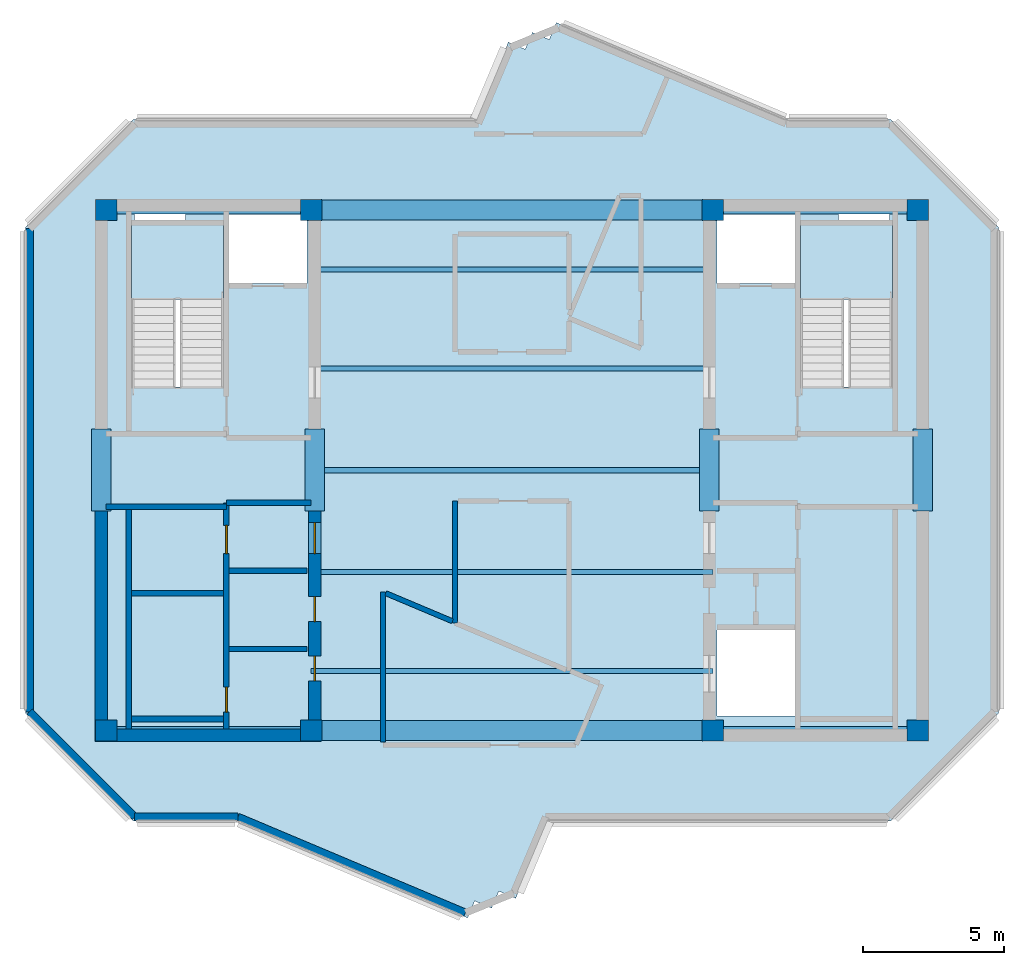
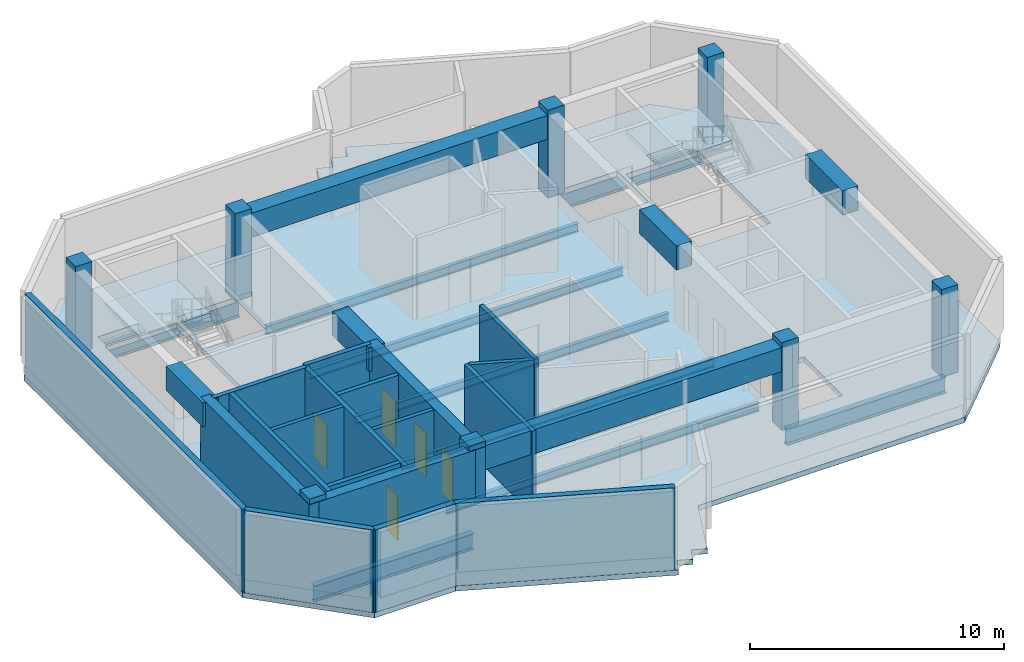
# One storey, part 1 of 5: 18 walls, 15 beams, 8 columns, 5 doors, 3 slabs, 5 openings, 2 elements without a shape of their own.
"""IFC4 building model written with IfcOpenShell, lengths in metres."""

from ifc_helpers import new_model, si_unit, direction, frame, frame_2d, origin, origin_2d, place, context, subcontext, project, spatial, polyline, rectangle, i_section, outline, extrude, source, transform, mapped, material, layer, layer_set, material_profile, profile_set, type_object, element, fill, aggregate, save


model = new_model("IFC4")

# Units and contexts
model_context = context("Model", 3, precision=1e-05, world=origin(), true_north=direction((0.0, 1.0)))
body_context = subcontext(model_context, "Body", "Model", "MODEL_VIEW")
ifc_project = project(units=[si_unit("LENGTHUNIT", "METRE"), si_unit("AREAUNIT", "SQUARE_METRE"), si_unit("VOLUMEUNIT", "CUBIC_METRE"), si_unit("PLANEANGLEUNIT", "RADIAN"), si_unit("MASSUNIT", "GRAM", prefix="KILO")], contexts=[model_context])

# Site, building, storey
site_placement = place(None, origin())
site = spatial("IfcSite", under=ifc_project, at=site_placement, CompositionType="ELEMENT")
building_placement = place(site_placement, origin())
building = spatial("IfcBuilding", under=site, at=building_placement, Name="Zahravan Cultural Tower", CompositionType="ELEMENT")
storey_placement = place(building_placement, frame((0.0, 0.0, 379.64990234375)))
storey = spatial("IfcBuildingStorey", under=building, at=storey_placement, Name="L92", CompositionType="ELEMENT", Elevation=379.64990234375)

# Columns
ifc_material_1 = material(Name="Concrete C45/55", Category="concrete")
ifc_material_profile_1 = material_profile(ifc_material_1, rectangle(XDim=0.75, YDim=0.75, at=origin_2d()), Name="RC750X750")
ifc_profile_set_1 = profile_set([ifc_material_profile_1], Name="Concrete C45/55")
column_type = type_object("IfcColumnType", Name="COL-RC750", PredefinedType="COLUMN", material=ifc_profile_set_1)
shared_shape_1 = source(origin(), body_context, "Body", "SweptSolid", [
    extrude(rectangle(XDim=0.75, YDim=0.75, at=origin_2d()), origin(), (0.0, 0.0, 1.0), 4.2001953125),
])
for number, where, z_axis, x_axis, name in (
    (1, (21.64990234375, 17.800048828125, 0.0), (0.0, 0.0, 1.0), (1.0, 0.0, 0.0), "L92 Column CC-W1"),
    (2, (28.89990234375, 17.800048828125, 0.0), (0.0, 0.0, 1.0), (1.0, 0.0, 0.0), "L92 Column CC-W2"),
    (3, (21.64990234375, 36.199951171875, 0.0), (0.0, 0.0, 1.0), (1.0, 0.0, 0.0), "L92 Column CC-W3"),
    (4, (28.89990234375, 36.199951171875, 0.0), (0.0, 0.0, 1.0), (1.0, 0.0, 0.0), "L92 Column CC-W4"),
    (5, (43.10009765625, 17.800048828125, 0.0), (0.0, 0.0, 1.0), (1.0, 0.0, 0.0), "L92 Column CC-E1"),
    (6, (50.35009765625, 17.800048828125, 0.0), (0.0, 0.0, 1.0), (1.0, 0.0, 0.0), "L92 Column CC-E2"),
    (7, (43.10009765625, 36.199951171875, 0.0), (0.0, 0.0, 1.0), (1.0, 0.0, 0.0), "L92 Column CC-E3"),
    (8, (50.35009765625, 36.199951171875, 0.0), (0.0, 0.0, 1.0), (1.0, 0.0, 0.0), "L92 Column CC-E4"),
):
    element("IfcColumn", number, at=place(storey_placement, frame(where, z_axis=z_axis, x_axis=x_axis)), inside=storey, type_object=column_type, Name=name, PredefinedType="COLUMN", context=body_context, shape_type="MappedRepresentation", body=[
        mapped(shared_shape_1, transform((0.0, 0.0, 0.0), x_axis=(1.0, 0.0, 0.0), y_axis=(0.0, 1.0, 0.0), z_axis=(0.0, 0.0, 1.0), scale=1.0)),
    ])

# Beams
ifc_material_2 = material(Name="Concrete C50/60", Category="concrete")
ifc_material_profile_2 = material_profile(ifc_material_2, rectangle(XDim=0.699951171875, YDim=1.14990234375, at=origin_2d()), Name="RC700X1150")
ifc_profile_set_2 = profile_set([ifc_material_profile_2], Name="Concrete C50/60")
beam_type_1 = type_object("IfcBeamType", Name="BM-LN-RC700X1150", PredefinedType="LINTEL", material=ifc_profile_set_2)
shared_shape_2 = source(origin(), body_context, "Body", "SweptSolid", [
    extrude(rectangle(XDim=0.699951171875, YDim=1.14990234375, at=origin_2d()), origin(), (0.0, 0.0, 1.0), 14.2001953125),
])
for number, where, z_axis, x_axis, name in (
    (9, (28.89990234375, 17.800048828125, 3.375), (1.0, 0.0, 0.0), (0.0, 1.0, 0.0), "L92 Beam LN-L92-S"),
    (10, (28.89990234375, 36.199951171875, 3.375), (1.0, 0.0, 0.0), (0.0, 1.0, 0.0), "L92 Beam LN-L92-N"),
):
    element("IfcBeam", number, at=place(storey_placement, frame(where, z_axis=z_axis, x_axis=x_axis)), inside=storey, type_object=beam_type_1, Name=name, PredefinedType="LINTEL", context=body_context, shape_type="MappedRepresentation", body=[
        mapped(shared_shape_2, transform((0.0, 0.0, 0.0), x_axis=(1.0, 0.0, 0.0), y_axis=(0.0, 1.0, 0.0), z_axis=(0.0, 0.0, 1.0), scale=1.0)),
    ])
shared_shape_3 = source(origin(), body_context, "Body", "SweptSolid", [
    extrude(rectangle(XDim=0.699951171875, YDim=1.14990234375, at=origin_2d()), origin(), (0.0, 0.0, 1.0), 2.89990234375),
])
for number, where, z_axis, x_axis, name in (
    (11, (21.47509765625, 25.550048828125, 3.375), (0.0, 1.0, 0.0), (-1.0, 0.0, 0.0), "L92 Beam LN-L92-PWW"),
    (12, (29.02490234375, 25.550048828125, 3.375), (0.0, 1.0, 0.0), (-1.0, 0.0, 0.0), "L92 Beam LN-L92-PWE"),
    (13, (42.97509765625, 25.550048828125, 3.375), (0.0, 1.0, 0.0), (-1.0, 0.0, 0.0), "L92 Beam LN-L92-PEW"),
    (14, (50.52490234375, 25.550048828125, 3.375), (0.0, 1.0, 0.0), (-1.0, 0.0, 0.0), "L92 Beam LN-L92-PEE"),
):
    element("IfcBeam", number, at=place(storey_placement, frame(where, z_axis=z_axis, x_axis=x_axis)), inside=storey, type_object=beam_type_1, Name=name, PredefinedType="LINTEL", context=body_context, shape_type="MappedRepresentation", body=[
        mapped(shared_shape_3, transform((0.0, 0.0, 0.0), x_axis=(1.0, 0.0, 0.0), y_axis=(0.0, 1.0, 0.0), z_axis=(0.0, 0.0, 1.0), scale=1.0)),
    ])
ifc_material_3 = material(Name="Steel ASTM A992 Grade 50", Category="steel")
ifc_material_profile_3 = material_profile(ifc_material_3, i_section(OverallWidth=0.26611328125, OverallDepth=0.780029296875, WebThickness=0.0166015625, FlangeThickness=0.030029296875, FilletRadius=0.01904296875, at=origin_2d()), Name="W30X148")
ifc_profile_set_3 = profile_set([ifc_material_profile_3], Name="Steel ASTM A992 Grade 50")
beam_type_2 = type_object("IfcBeamType", Name="BM-G-W30X148", PredefinedType="BEAM", material=ifc_profile_set_3)
shared_shape_4 = source(origin(), body_context, "Body", "SweptSolid", [
    extrude(i_section(OverallWidth=0.26611328125, OverallDepth=0.780029296875, WebThickness=0.0166015625, FlangeThickness=0.030029296875, FilletRadius=0.01904296875, at=origin_2d()), origin(), (0.0, 0.0, 1.0), 7.25),
])
for number, where, z_axis, x_axis, name in (
    (15, (21.64990234375, 17.800048828125, -0.639892578125), (1.0, 0.0, 0.0), (0.0, 1.0, 0.0), "L92 Beam BG-L92-01"),
    (16, (21.64990234375, 36.199951171875, -0.639892578125), (1.0, 0.0, 0.0), (0.0, 1.0, 0.0), "L92 Beam BG-L92-02"),
    (17, (43.10009765625, 17.800048828125, -0.639892578125), (1.0, 0.0, 0.0), (0.0, 1.0, 0.0), "L92 Beam BG-L92-04"),
    (18, (43.10009765625, 36.199951171875, -0.639892578125), (1.0, 0.0, 0.0), (0.0, 1.0, 0.0), "L92 Beam BG-L92-05"),
):
    element("IfcBeam", number, at=place(storey_placement, frame(where, z_axis=z_axis, x_axis=x_axis)), inside=storey, type_object=beam_type_2, Name=name, PredefinedType="BEAM", context=body_context, shape_type="MappedRepresentation", body=[
        mapped(shared_shape_4, transform((0.0, 0.0, 0.0), x_axis=(1.0, 0.0, 0.0), y_axis=(0.0, 1.0, 0.0), z_axis=(0.0, 0.0, 1.0), scale=1.0)),
    ])
ifc_material_profile_4 = material_profile(ifc_material_3, i_section(OverallWidth=0.177978515625, OverallDepth=0.406005859375, WebThickness=0.0078125, FlangeThickness=0.0126953125, FilletRadius=0.011962890625, at=origin_2d()), Name="W16X40")
ifc_profile_set_4 = profile_set([ifc_material_profile_4], Name="Steel ASTM A992 Grade 50")
beam_type_3 = type_object("IfcBeamType", Name="BM-J-W16X40", PredefinedType="JOIST", material=ifc_profile_set_4)
shared_shape_5 = source(origin(), body_context, "Body", "SweptSolid", [
    extrude(i_section(OverallWidth=0.177978515625, OverallDepth=0.406005859375, WebThickness=0.0078125, FlangeThickness=0.0126953125, FilletRadius=0.011962890625, at=origin_2d()), origin(), (0.0, 0.0, 1.0), 14.2001953125),
])
for number, where, z_axis, x_axis, name in (
    (19, (28.89990234375, 19.89990234375, -0.452880859375), (1.0, 0.0, 0.0), (0.0, 1.0, 0.0), "L92 Beam BJ-L92-07"),
    (20, (28.89990234375, 23.39990234375, -0.452880859375), (1.0, 0.0, 0.0), (0.0, 1.0, 0.0), "L92 Beam BJ-L92-08"),
    (21, (28.89990234375, 27.0, -0.452880859375), (1.0, 0.0, 0.0), (0.0, 1.0, 0.0), "L92 Beam BJ-L92-09"),
    (22, (28.89990234375, 30.60009765625, -0.452880859375), (1.0, 0.0, 0.0), (0.0, 1.0, 0.0), "L92 Beam BJ-L92-10"),
    (23, (28.89990234375, 34.10009765625, -0.452880859375), (1.0, 0.0, 0.0), (0.0, 1.0, 0.0), "L92 Beam BJ-L92-11"),
):
    element("IfcBeam", number, at=place(storey_placement, frame(where, z_axis=z_axis, x_axis=x_axis)), inside=storey, type_object=beam_type_3, Name=name, PredefinedType="JOIST", context=body_context, shape_type="MappedRepresentation", body=[
        mapped(shared_shape_5, transform((0.0, 0.0, 0.0), x_axis=(1.0, 0.0, 0.0), y_axis=(0.0, 1.0, 0.0), z_axis=(0.0, 0.0, 1.0), scale=1.0)),
    ])

# Stair, slab
stair_type = type_object("IfcStairType", Name="STR-DL-1550-420", PredefinedType="HALF_TURN_STAIR", material=ifc_material_1)
stair_1_placement = place(storey_placement, origin())
stair_1 = element("IfcStair", 24, at=stair_1_placement, inside=storey, type_object=stair_type, Name="L92 West Core North Exit Stair ST-W1", PredefinedType="HALF_TURN_STAIR")
ifc_layer_1 = layer(ifc_material_1, 0.199951171875)
ifc_layer_set_1 = layer_set([ifc_layer_1], Name="Concrete C45/55")
slab_type_1 = type_object("IfcSlabType", Name="SL-STAIR-LND200", PredefinedType="LANDING", material=ifc_layer_set_1)
slab_1_placement = place(storey_placement, frame((0.0, 0.0, 1.900146484375)))
slab_1 = element("IfcSlab", 25, at=slab_1_placement, type_object=slab_type_1, Name="ST-W1 landing 1", PredefinedType="LANDING", context=body_context, shape_type="SweptSolid", body=[
    extrude(outline(polyline([(25.800048828125, 33.030029296875), (25.800048828125, 35.699951171875), (22.550048828125, 35.699951171875), (22.550048828125, 33.030029296875), (25.800048828125, 33.030029296875)])), origin(), (0.0, 0.0, 1.0), 0.199951171875),
])
aggregate(stair_1, [slab_1])

stair_2_placement = place(storey_placement, origin())
stair_2 = element("IfcStair", 26, at=stair_2_placement, inside=storey, type_object=stair_type, Name="L92 East Core North Exit Stair ST-E1", PredefinedType="HALF_TURN_STAIR")
slab_2_placement = place(storey_placement, frame((0.0, 0.0, 1.900146484375)))
slab_2 = element("IfcSlab", 27, at=slab_2_placement, type_object=slab_type_1, Name="ST-E1 landing 1", PredefinedType="LANDING", context=body_context, shape_type="SweptSolid", body=[
    extrude(outline(polyline([(49.449951171875, 33.030029296875), (49.449951171875, 35.699951171875), (46.199951171875, 35.699951171875), (46.199951171875, 33.030029296875), (49.449951171875, 33.030029296875)])), origin(), (0.0, 0.0, 1.0), 0.199951171875),
])
aggregate(stair_2, [slab_2])

# Slab
ifc_material_4 = material(Name="Concrete C40/50", Category="concrete")
ifc_layer_2 = layer(ifc_material_4, 0.25)
ifc_layer_set_2 = layer_set([ifc_layer_2], Name="Concrete C40/50")
slab_type_2 = type_object("IfcSlabType", Name="SL-TYP-250", PredefinedType="FLOOR", material=ifc_layer_set_2)
slab_3_placement = place(storey_placement, frame((0.0, 0.0, -0.25)))
element("IfcSlab", 28, at=slab_3_placement, inside=storey, type_object=slab_type_2, Name="L92 Structural Floor Slab", PredefinedType="FLOOR", context=body_context, shape_type="SweptSolid", body=[
    extrude(outline(polyline([(34.71435546875, 39.39990234375), (22.60009765625, 39.39990234375), (18.800048828125, 35.60009765625), (18.800048828125, 18.39990234375), (22.60009765625, 14.60009765625), (26.283447265625, 14.60009765625), (34.4287109375, 11.167724609375), (34.68115234375, 11.7666015625), (35.280029296875, 11.514404296875), (35.532470703125, 12.11328125), (36.131591796875, 11.86083984375), (37.28564453125, 14.60009765625), (49.39990234375, 14.60009765625), (53.199951171875, 18.39990234375), (53.199951171875, 35.60009765625), (49.39990234375, 39.39990234375), (45.716552734375, 39.39990234375), (37.5712890625, 42.832275390625), (37.31884765625, 42.2333984375), (36.719970703125, 42.485595703125), (36.467529296875, 41.88671875), (35.868408203125, 42.13916015625), (34.71435546875, 39.39990234375)]), holes=[polyline([(22.550048828125, 29.949951171875), (22.550048828125, 35.699951171875), (25.800048828125, 35.699951171875), (25.800048828125, 29.949951171875), (22.550048828125, 29.949951171875)]), polyline([(46.199951171875, 29.949951171875), (46.199951171875, 35.699951171875), (49.449951171875, 35.699951171875), (49.449951171875, 29.949951171875), (46.199951171875, 29.949951171875)]), polyline([(26.0, 33.60009765625), (26.0, 36.050048828125), (28.75, 36.050048828125), (28.75, 33.60009765625), (26.0, 33.60009765625)]), polyline([(43.25, 33.60009765625), (43.25, 36.050048828125), (46.0, 36.050048828125), (46.0, 33.60009765625), (43.25, 33.60009765625)]), polyline([(43.25, 18.300048828125), (43.25, 21.35009765625), (46.0, 21.35009765625), (46.0, 18.300048828125), (43.25, 18.300048828125)]), polyline([(22.64990234375, 35.800048828125), (22.64990234375, 36.419921875), (24.449951171875, 36.419921875), (24.449951171875, 35.800048828125), (22.64990234375, 35.800048828125)]), polyline([(47.550048828125, 35.800048828125), (47.550048828125, 36.419921875), (49.35009765625, 36.419921875), (49.35009765625, 35.800048828125), (47.550048828125, 35.800048828125)])]), origin(), (0.0, 0.0, 1.0), 0.25),
])

# Wall, openings, doors
ifc_layer_3 = layer(ifc_material_2, 0.449951171875)
ifc_layer_set_3 = layer_set([ifc_layer_3], Name="Concrete C50/60")
wall_type_1 = type_object("IfcWallType", Name="CW-SHEAR-450-C50", PredefinedType="SHEAR", material=ifc_layer_set_3)
wall_1_placement = place(storey_placement, frame((29.02490234375, 17.39990234375, 0.0), z_axis=(0.0, 0.0, 1.0), x_axis=(0.0, 1.0, 0.0)))
wall_1 = element("IfcWall", 29, at=wall_1_placement, inside=storey, type_object=wall_type_1, Name="L92 Core Shear Wall CW-W-ES-L92", PredefinedType="SHEAR", context=body_context, shape_type="SweptSolid", body=[
    extrude(rectangle(XDim=8.550048828125, YDim=0.449951171875, at=frame_2d((4.27490234375, 0.0))), origin(), (0.0, 0.0, 1.0), 3.9501953125),
])
opening_1_placement = place(wall_1_placement, frame((6.64990234375, 0.0, 0.0)))
opening_1 = element("IfcOpeningElement", 30, at=opening_1_placement, cuts=wall_1, Name="Opening D-L92-08", PredefinedType="OPENING", context=body_context, shape_type="SweptSolid", body=[
    extrude(rectangle(XDim=1.10009765625, YDim=2.199951171875, at=frame_2d((0.550048828125, 1.10009765625))), frame((0.0, 0.23486328125, 0.0), z_axis=(0.0, -1.0, 0.0), x_axis=(1.0, 0.0, 0.0)), (0.0, 0.0, 1.0), 0.469970703125),
])
opening_2_placement = place(wall_1_placement, frame((2.14990234375, 0.0, 0.0)))
opening_2 = element("IfcOpeningElement", 31, at=opening_2_placement, cuts=wall_1, Name="Opening D-L92-10", PredefinedType="OPENING", context=body_context, shape_type="SweptSolid", body=[
    extrude(rectangle(XDim=0.8798828125, YDim=2.10009765625, at=frame_2d((0.43994140625, 1.050048828125))), frame((0.0, 0.23486328125, 0.0), z_axis=(0.0, -1.0, 0.0), x_axis=(1.0, 0.0, 0.0)), (0.0, 0.0, 1.0), 0.469970703125),
])
opening_3_placement = place(wall_1_placement, frame((4.25, 0.0, 0.0)))
opening_3 = element("IfcOpeningElement", 32, at=opening_3_placement, cuts=wall_1, Name="Opening D-L92-11", PredefinedType="OPENING", context=body_context, shape_type="SweptSolid", body=[
    extrude(rectangle(XDim=0.8798828125, YDim=2.10009765625, at=frame_2d((0.43994140625, 1.050048828125))), frame((0.0, 0.23486328125, 0.0), z_axis=(0.0, -1.0, 0.0), x_axis=(1.0, 0.0, 0.0)), (0.0, 0.0, 1.0), 0.469970703125),
])
ifc_material_5 = material(Name="Steel ASTM A572 Grade 50", Category="steel")
door_type_1 = type_object("IfcDoorType", Name="DR-LOBBY-1100", OperationType="NOTDEFINED", PredefinedType="DOOR", material=ifc_material_5)
shared_shape_6 = source(origin(), body_context, "Body", "SweptSolid", [
    extrude(rectangle(XDim=1.10009765625, YDim=2.199951171875, at=frame_2d((0.550048828125, 1.10009765625))), frame((0.0, 0.02490234375, 0.0), z_axis=(0.0, -1.0, 0.0), x_axis=(1.0, 0.0, 0.0)), (0.0, 0.0, 1.0), 0.050048828125),
])
door_1_placement = place(opening_1_placement, origin())
door_1 = element("IfcDoor", 33, at=door_1_placement, inside=storey, type_object=door_type_1, Name="L92 Door D-L92-08", OperationType="SINGLE_SWING_RIGHT", OverallHeight=2.199951171875, OverallWidth=1.10009765625, PredefinedType="DOOR", context=body_context, shape_type="MappedRepresentation", body=[
    mapped(shared_shape_6, transform((0.0, 0.0, 0.0), x_axis=(1.0, 0.0, 0.0), y_axis=(0.0, 1.0, 0.0), z_axis=(0.0, 0.0, 1.0), scale=1.0)),
])
fill(opening_1, door_1)
door_type_2 = type_object("IfcDoorType", Name="DR-SVC-880", OperationType="NOTDEFINED", PredefinedType="DOOR", material=ifc_material_5)
shared_shape_7 = source(origin(), body_context, "Body", "SweptSolid", [
    extrude(rectangle(XDim=0.8798828125, YDim=2.10009765625, at=frame_2d((0.43994140625, 1.050048828125))), frame((0.0, 0.02490234375, 0.0), z_axis=(0.0, -1.0, 0.0), x_axis=(1.0, 0.0, 0.0)), (0.0, 0.0, 1.0), 0.050048828125),
])
door_2_placement = place(opening_2_placement, origin())
door_2 = element("IfcDoor", 34, at=door_2_placement, inside=storey, type_object=door_type_2, Name="L92 Door D-L92-10", OperationType="SINGLE_SWING_RIGHT", OverallHeight=2.10009765625, OverallWidth=0.8798828125, PredefinedType="DOOR", context=body_context, shape_type="MappedRepresentation", body=[
    mapped(shared_shape_7, transform((0.0, 0.0, 0.0), x_axis=(1.0, 0.0, 0.0), y_axis=(0.0, 1.0, 0.0), z_axis=(0.0, 0.0, 1.0), scale=1.0)),
])
fill(opening_2, door_2)
door_3_placement = place(opening_3_placement, origin())
door_3 = element("IfcDoor", 35, at=door_3_placement, inside=storey, type_object=door_type_2, Name="L92 Door D-L92-11", OperationType="SINGLE_SWING_LEFT", OverallHeight=2.10009765625, OverallWidth=0.8798828125, PredefinedType="DOOR", context=body_context, shape_type="MappedRepresentation", body=[
    mapped(shared_shape_7, transform((0.0, 0.0, 0.0), x_axis=(1.0, 0.0, 0.0), y_axis=(0.0, 1.0, 0.0), z_axis=(0.0, 0.0, 1.0), scale=1.0)),
])
fill(opening_3, door_3)

ifc_layer_4 = layer(ifc_material_1, 0.199951171875)
ifc_layer_set_4 = layer_set([ifc_layer_4], Name="Concrete C45/55")
wall_type_2 = type_object("IfcWallType", Name="W-SHAFT-200", PredefinedType="SOLIDWALL", material=ifc_layer_set_4)
wall_2_placement = place(storey_placement, frame((25.89990234375, 17.85009765625, 0.0), z_axis=(0.0, 0.0, 1.0), x_axis=(0.0, 1.0, 0.0)))
wall_2 = element("IfcWall", 36, at=wall_2_placement, inside=storey, type_object=wall_type_2, Name="L92 Interior Wall 005", PredefinedType="SOLIDWALL", context=body_context, shape_type="SweptSolid", body=[
    extrude(rectangle(XDim=8.0, YDim=0.199951171875, at=frame_2d((4.0, 0.0))), origin(), (0.0, 0.0, 1.0), 3.9501953125),
])
opening_4_placement = place(wall_2_placement, frame((6.199951171875, 0.0, 0.0)))
opening_4 = element("IfcOpeningElement", 37, at=opening_4_placement, cuts=wall_2, Name="Opening D-L92-04", PredefinedType="OPENING", context=body_context, shape_type="SweptSolid", body=[
    extrude(rectangle(XDim=1.0, YDim=2.14990234375, at=frame_2d((0.5, 1.074951171875))), frame((0.0, 0.10986328125, 0.0), z_axis=(0.0, -1.0, 0.0), x_axis=(1.0, 0.0, 0.0)), (0.0, 0.0, 1.0), 0.219970703125),
])
opening_5_placement = place(wall_2_placement, frame((0.60009765625, 0.0, 0.0)))
opening_5 = element("IfcOpeningElement", 38, at=opening_5_placement, cuts=wall_2, Name="Opening D-L92-05", PredefinedType="OPENING", context=body_context, shape_type="SweptSolid", body=[
    extrude(rectangle(XDim=0.8798828125, YDim=2.10009765625, at=frame_2d((0.43994140625, 1.050048828125))), frame((0.0, 0.10986328125, 0.0), z_axis=(0.0, -1.0, 0.0), x_axis=(1.0, 0.0, 0.0)), (0.0, 0.0, 1.0), 0.219970703125),
])
door_4_placement = place(opening_5_placement, origin())
door_4 = element("IfcDoor", 39, at=door_4_placement, inside=storey, type_object=door_type_2, Name="L92 Door D-L92-05", OperationType="SINGLE_SWING_LEFT", OverallHeight=2.10009765625, OverallWidth=0.8798828125, PredefinedType="DOOR", context=body_context, shape_type="MappedRepresentation", body=[
    mapped(shared_shape_7, transform((0.0, 0.0, 0.0), x_axis=(1.0, 0.0, 0.0), y_axis=(0.0, 1.0, 0.0), z_axis=(0.0, 0.0, 1.0), scale=1.0)),
])
fill(opening_5, door_4)
door_type_3 = type_object("IfcDoorType", Name="DR-COMP-1000", OperationType="NOTDEFINED", PredefinedType="DOOR", material=ifc_material_5)
shared_shape_8 = source(origin(), body_context, "Body", "SweptSolid", [
    extrude(rectangle(XDim=1.0, YDim=2.14990234375, at=frame_2d((0.5, 1.074951171875))), frame((0.0, 0.02490234375, 0.0), z_axis=(0.0, -1.0, 0.0), x_axis=(1.0, 0.0, 0.0)), (0.0, 0.0, 1.0), 0.050048828125),
])
door_5_placement = place(opening_4_placement, origin())
door_5 = element("IfcDoor", 40, at=door_5_placement, inside=storey, type_object=door_type_3, Name="L92 Door D-L92-04", OperationType="SINGLE_SWING_RIGHT", OverallHeight=2.14990234375, OverallWidth=1.0, PredefinedType="DOOR", context=body_context, shape_type="MappedRepresentation", body=[
    mapped(shared_shape_8, transform((0.0, 0.0, 0.0), x_axis=(1.0, 0.0, 0.0), y_axis=(0.0, 1.0, 0.0), z_axis=(0.0, 0.0, 1.0), scale=1.0)),
])
fill(opening_4, door_5)

# Walls
shared_shape_9 = source(origin(), body_context, "Body", "SweptSolid", [
    extrude(rectangle(XDim=8.550048828125, YDim=0.449951171875, at=frame_2d((4.27490234375, 0.0))), origin(), (0.0, 0.0, 1.0), 3.9501953125),
])
wall_3_placement = place(storey_placement, frame((21.47509765625, 17.39990234375, 0.0), z_axis=(0.0, 0.0, 1.0), x_axis=(0.0, 1.0, 0.0)))
element("IfcWall", 41, at=wall_3_placement, inside=storey, type_object=wall_type_1, Name="L92 Core Shear Wall CW-W-WS-L92", PredefinedType="SHEAR", context=body_context, shape_type="MappedRepresentation", body=[
    mapped(shared_shape_9, transform((0.0, 0.0, 0.0), x_axis=(1.0, 0.0, 0.0), y_axis=(0.0, 1.0, 0.0), z_axis=(0.0, 0.0, 1.0), scale=1.0)),
])
shared_shape_10 = source(origin(), body_context, "Body", "SweptSolid", [
    extrude(rectangle(XDim=7.10009765625, YDim=0.449951171875, at=frame_2d((3.550048828125, 0.0))), origin(), (0.0, 0.0, 1.0), 3.9501953125),
])
wall_4_placement = place(storey_placement, frame((21.699951171875, 17.625, 0.0), z_axis=(0.0, 0.0, 1.0), x_axis=(1.0, 0.0, 0.0)))
element("IfcWall", 42, at=wall_4_placement, inside=storey, type_object=wall_type_1, Name="L92 Core Shear Wall CW-W-S-L92", PredefinedType="SHEAR", context=body_context, shape_type="MappedRepresentation", body=[
    mapped(shared_shape_10, transform((0.0, 0.0, 0.0), x_axis=(1.0, 0.0, 0.0), y_axis=(0.0, 1.0, 0.0), z_axis=(0.0, 0.0, 1.0), scale=1.0)),
])
ifc_material_6 = material(Name="Precast concrete C40/50", Category="concrete")
ifc_layer_5 = layer(ifc_material_6, 0.260009765625)
ifc_layer_set_5 = layer_set([ifc_layer_5], Name="Precast concrete C40/50")
wall_type_3 = type_object("IfcWallType", Name="EW-CROWN-260", PredefinedType="SOLIDWALL", material=ifc_layer_set_5)
shared_shape_11 = source(origin(), body_context, "Body", "SweptSolid", [
    extrude(rectangle(XDim=8.72705078125, YDim=0.260009765625, at=frame_2d((4.363525390625, 0.0))), origin(), (0.0, 0.0, 1.0), 3.9501953125),
])
wall_5_placement = place(storey_placement, frame((34.35400390625, 11.35107421875, 0.0), z_axis=(0.0, 0.0, 1.0), x_axis=(-0.921524227272, 0.38832087061, 0.0)))
element("IfcWall", 43, at=wall_5_placement, inside=storey, type_object=wall_type_3, Name="L92 Exterior Masonry Frame Wall 11", PredefinedType="SOLIDWALL", context=body_context, shape_type="MappedRepresentation", body=[
    mapped(shared_shape_11, transform((0.0, 0.0, 0.0), x_axis=(1.0, 0.0, 0.0), y_axis=(0.0, 1.0, 0.0), z_axis=(0.0, 0.0, 1.0), scale=1.0)),
])
shared_shape_12 = source(origin(), body_context, "Body", "SweptSolid", [
    extrude(rectangle(XDim=3.65380859375, YDim=0.260009765625, at=frame_2d((1.826904296875, 0.0))), origin(), (0.0, 0.0, 1.0), 3.9501953125),
])
wall_6_placement = place(storey_placement, frame((26.311767578125, 14.739990234375, 0.0), z_axis=(0.0, 0.0, 1.0), x_axis=(-1.0, 0.0, 0.0)))
element("IfcWall", 44, at=wall_6_placement, inside=storey, type_object=wall_type_3, Name="L92 Exterior Masonry Frame Wall 12", PredefinedType="SOLIDWALL", context=body_context, shape_type="MappedRepresentation", body=[
    mapped(shared_shape_12, transform((0.0, 0.0, 0.0), x_axis=(1.0, 0.0, 0.0), y_axis=(0.0, 1.0, 0.0), z_axis=(0.0, 0.0, 1.0), scale=1.0)),
])
shared_shape_13 = source(origin(), body_context, "Body", "SweptSolid", [
    extrude(rectangle(XDim=5.258056640625, YDim=0.260009765625, at=frame_2d((2.62890625, 0.0))), origin(), (0.0, 0.0, 1.0), 3.9501953125),
])
wall_7_placement = place(storey_placement, frame((22.657958984375, 14.739990234375, 0.0), z_axis=(0.0, 0.0, 1.0), x_axis=(-0.707106781187, 0.707106781187, 0.0)))
element("IfcWall", 45, at=wall_7_placement, inside=storey, type_object=wall_type_3, Name="L92 Exterior Masonry Frame Wall 13", PredefinedType="SOLIDWALL", context=body_context, shape_type="MappedRepresentation", body=[
    mapped(shared_shape_13, transform((0.0, 0.0, 0.0), x_axis=(1.0, 0.0, 0.0), y_axis=(0.0, 1.0, 0.0), z_axis=(0.0, 0.0, 1.0), scale=1.0)),
])
shared_shape_14 = source(origin(), body_context, "Body", "SweptSolid", [
    extrude(rectangle(XDim=17.083984375, YDim=0.260009765625, at=frame_2d((8.5419921875, 0.0))), origin(), (0.0, 0.0, 1.0), 3.9501953125),
])
wall_8_placement = place(storey_placement, frame((18.93994140625, 18.4580078125, 0.0), z_axis=(0.0, 0.0, 1.0), x_axis=(0.0, 1.0, 0.0)))
element("IfcWall", 46, at=wall_8_placement, inside=storey, type_object=wall_type_3, Name="L92 Exterior Masonry Frame Wall 14", PredefinedType="SOLIDWALL", context=body_context, shape_type="MappedRepresentation", body=[
    mapped(shared_shape_14, transform((0.0, 0.0, 0.0), x_axis=(1.0, 0.0, 0.0), y_axis=(0.0, 1.0, 0.0), z_axis=(0.0, 0.0, 1.0), scale=1.0)),
])
shared_shape_15 = source(origin(), body_context, "Body", "SweptSolid", [
    extrude(rectangle(XDim=7.869873046875, YDim=0.199951171875, at=frame_2d((3.93505859375, 0.0))), origin(), (0.0, 0.0, 1.0), 3.9501953125),
])
wall_9_placement = place(storey_placement, frame((22.449951171875, 17.85009765625, 0.0), z_axis=(0.0, 0.0, 1.0), x_axis=(0.0, 1.0, 0.0)))
element("IfcWall", 47, at=wall_9_placement, inside=storey, type_object=wall_type_2, Name="L92 Interior Wall 001", PredefinedType="SOLIDWALL", context=body_context, shape_type="MappedRepresentation", body=[
    mapped(shared_shape_15, transform((0.0, 0.0, 0.0), x_axis=(1.0, 0.0, 0.0), y_axis=(0.0, 1.0, 0.0), z_axis=(0.0, 0.0, 1.0), scale=1.0)),
])
shared_shape_16 = source(origin(), body_context, "Body", "SweptSolid", [
    extrude(rectangle(XDim=4.25, YDim=0.199951171875, at=frame_2d((2.125, 0.0))), origin(), (0.0, 0.0, 1.0), 3.9501953125),
])
wall_10_placement = place(storey_placement, frame((21.64990234375, 25.715087890625, 0.0), z_axis=(0.0, 0.0, 1.0), x_axis=(1.0, 0.0, 0.0)))
element("IfcWall", 48, at=wall_10_placement, inside=storey, type_object=wall_type_2, Name="L92 Interior Wall 009", PredefinedType="SOLIDWALL", context=body_context, shape_type="MappedRepresentation", body=[
    mapped(shared_shape_16, transform((0.0, 0.0, 0.0), x_axis=(1.0, 0.0, 0.0), y_axis=(0.0, 1.0, 0.0), z_axis=(0.0, 0.0, 1.0), scale=1.0)),
])
shared_shape_17 = source(origin(), body_context, "Body", "SweptSolid", [
    extrude(rectangle(XDim=3.0, YDim=0.199951171875, at=frame_2d((1.5, 0.0))), origin(), (0.0, 0.0, 1.0), 3.9501953125),
])
wall_11_placement = place(storey_placement, frame((25.89990234375, 25.85009765625, 0.0), z_axis=(0.0, 0.0, 1.0), x_axis=(1.0, 0.0, 0.0)))
element("IfcWall", 49, at=wall_11_placement, inside=storey, type_object=wall_type_2, Name="L92 Interior Wall 010", PredefinedType="SOLIDWALL", context=body_context, shape_type="MappedRepresentation", body=[
    mapped(shared_shape_17, transform((0.0, 0.0, 0.0), x_axis=(1.0, 0.0, 0.0), y_axis=(0.0, 1.0, 0.0), z_axis=(0.0, 0.0, 1.0), scale=1.0)),
])
shared_shape_18 = source(origin(), body_context, "Body", "SweptSolid", [
    extrude(rectangle(XDim=3.25, YDim=0.199951171875, at=frame_2d((1.625, 0.0))), origin(), (0.0, 0.0, 1.0), 3.9501953125),
])
wall_12_placement = place(storey_placement, frame((22.550048828125, 18.199951171875, 0.0), z_axis=(0.0, 0.0, 1.0), x_axis=(1.0, 0.0, 0.0)))
element("IfcWall", 50, at=wall_12_placement, inside=storey, type_object=wall_type_2, Name="L92 Interior Wall 019", PredefinedType="SOLIDWALL", context=body_context, shape_type="MappedRepresentation", body=[
    mapped(shared_shape_18, transform((0.0, 0.0, 0.0), x_axis=(1.0, 0.0, 0.0), y_axis=(0.0, 1.0, 0.0), z_axis=(0.0, 0.0, 1.0), scale=1.0)),
])
shared_shape_19 = source(origin(), body_context, "Body", "SweptSolid", [
    extrude(rectangle(XDim=2.75, YDim=0.199951171875, at=frame_2d((1.375, 0.0))), origin(), (0.0, 0.0, 1.0), 3.9501953125),
])
wall_13_placement = place(storey_placement, frame((26.0, 23.449951171875, 0.0), z_axis=(0.0, 0.0, 1.0), x_axis=(1.0, 0.0, 0.0)))
element("IfcWall", 51, at=wall_13_placement, inside=storey, type_object=wall_type_2, Name="L92 Interior Wall 024", PredefinedType="SOLIDWALL", context=body_context, shape_type="MappedRepresentation", body=[
    mapped(shared_shape_19, transform((0.0, 0.0, 0.0), x_axis=(1.0, 0.0, 0.0), y_axis=(0.0, 1.0, 0.0), z_axis=(0.0, 0.0, 1.0), scale=1.0)),
])
ifc_material_7 = material(Name="Gypsum plasterboard partition")
ifc_layer_6 = layer(ifc_material_7, 0.179931640625)
ifc_layer_set_6 = layer_set([ifc_layer_6], Name="Gypsum plasterboard partition")
wall_type_4 = type_object("IfcWallType", Name="W-COMP-180", PredefinedType="PARTITIONING", material=ifc_layer_set_6)
shared_shape_20 = source(origin(), body_context, "Body", "SweptSolid", [
    extrude(rectangle(XDim=2.75, YDim=0.179931640625, at=frame_2d((1.375, 0.0))), origin(), (0.0, 0.0, 1.0), 3.9501953125),
])
wall_14_placement = place(storey_placement, frame((26.0, 20.679931640625, 0.0), z_axis=(0.0, 0.0, 1.0), x_axis=(1.0, 0.0, 0.0)))
element("IfcWall", 52, at=wall_14_placement, inside=storey, type_object=wall_type_4, Name="L92 Interior Wall 027", PredefinedType="PARTITIONING", context=body_context, shape_type="MappedRepresentation", body=[
    mapped(shared_shape_20, transform((0.0, 0.0, 0.0), x_axis=(1.0, 0.0, 0.0), y_axis=(0.0, 1.0, 0.0), z_axis=(0.0, 0.0, 1.0), scale=1.0)),
])
shared_shape_21 = source(origin(), body_context, "Body", "SweptSolid", [
    extrude(rectangle(XDim=3.25, YDim=0.179931640625, at=frame_2d((1.625, 0.0))), origin(), (0.0, 0.0, 1.0), 3.9501953125),
])
wall_15_placement = place(storey_placement, frame((22.550048828125, 22.64990234375, 0.0), z_axis=(0.0, 0.0, 1.0), x_axis=(1.0, 0.0, 0.0)))
element("IfcWall", 53, at=wall_15_placement, inside=storey, type_object=wall_type_4, Name="L92 Interior Wall 021", PredefinedType="PARTITIONING", context=body_context, shape_type="MappedRepresentation", body=[
    mapped(shared_shape_21, transform((0.0, 0.0, 0.0), x_axis=(1.0, 0.0, 0.0), y_axis=(0.0, 1.0, 0.0), z_axis=(0.0, 0.0, 1.0), scale=1.0)),
])
shared_shape_22 = source(origin(), body_context, "Body", "SweptSolid", [
    extrude(rectangle(XDim=4.3134765625, YDim=0.179931640625, at=frame_2d((2.15673828125, 0.0))), origin(), (0.0, 0.0, 1.0), 3.9501953125),
])
wall_16_placement = place(storey_placement, frame((33.989990234375, 21.596435546875, 0.0), z_axis=(0.0, 0.0, 1.0), x_axis=(0.0, 1.0, 0.0)))
element("IfcWall", 54, at=wall_16_placement, inside=storey, type_object=wall_type_4, Name="L92 Interior Wall 040", PredefinedType="PARTITIONING", context=body_context, shape_type="MappedRepresentation", body=[
    mapped(shared_shape_22, transform((0.0, 0.0, 0.0), x_axis=(1.0, 0.0, 0.0), y_axis=(0.0, 1.0, 0.0), z_axis=(0.0, 0.0, 1.0), scale=1.0)),
])
shared_shape_23 = source(origin(), body_context, "Body", "SweptSolid", [
    extrude(rectangle(XDim=5.3076171875, YDim=0.179931640625, at=frame_2d((2.65380859375, 0.0))), origin(), (0.0, 0.0, 1.0), 3.9501953125),
])
wall_17_placement = place(storey_placement, frame((31.43994140625, 17.385009765625, 0.0), z_axis=(0.0, 0.0, 1.0), x_axis=(0.0, 1.0, 0.0)))
element("IfcWall", 55, at=wall_17_placement, inside=storey, type_object=wall_type_4, Name="L92 Interior Wall 046", PredefinedType="PARTITIONING", context=body_context, shape_type="MappedRepresentation", body=[
    mapped(shared_shape_23, transform((0.0, 0.0, 0.0), x_axis=(1.0, 0.0, 0.0), y_axis=(0.0, 1.0, 0.0), z_axis=(0.0, 0.0, 1.0), scale=1.0)),
])
shared_shape_24 = source(origin(), body_context, "Body", "SweptSolid", [
    extrude(rectangle(XDim=2.56103515625, YDim=0.179931640625, at=frame_2d((1.280517578125, 0.0))), origin(), (0.0, 0.0, 1.0), 3.9501953125),
])
wall_18_placement = place(storey_placement, frame((31.534912109375, 22.652587890625, 0.0), z_axis=(0.0, 0.0, 1.0), x_axis=(0.921543833829, -0.388274339008, 0.0)))
element("IfcWall", 56, at=wall_18_placement, inside=storey, type_object=wall_type_4, Name="L92 Interior Wall 047", PredefinedType="PARTITIONING", context=body_context, shape_type="MappedRepresentation", body=[
    mapped(shared_shape_24, transform((0.0, 0.0, 0.0), x_axis=(1.0, 0.0, 0.0), y_axis=(0.0, 1.0, 0.0), z_axis=(0.0, 0.0, 1.0), scale=1.0)),
])

save(model, "model.ifc")
